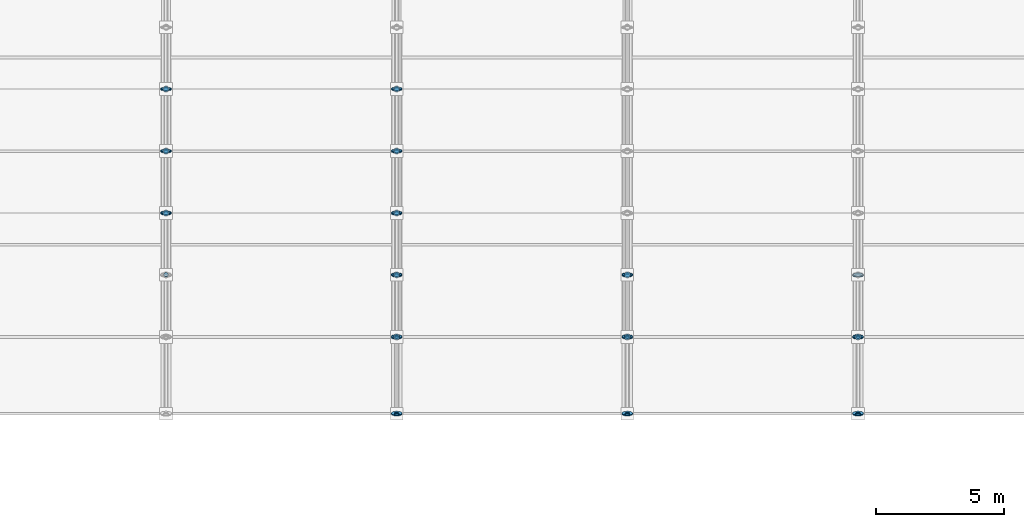
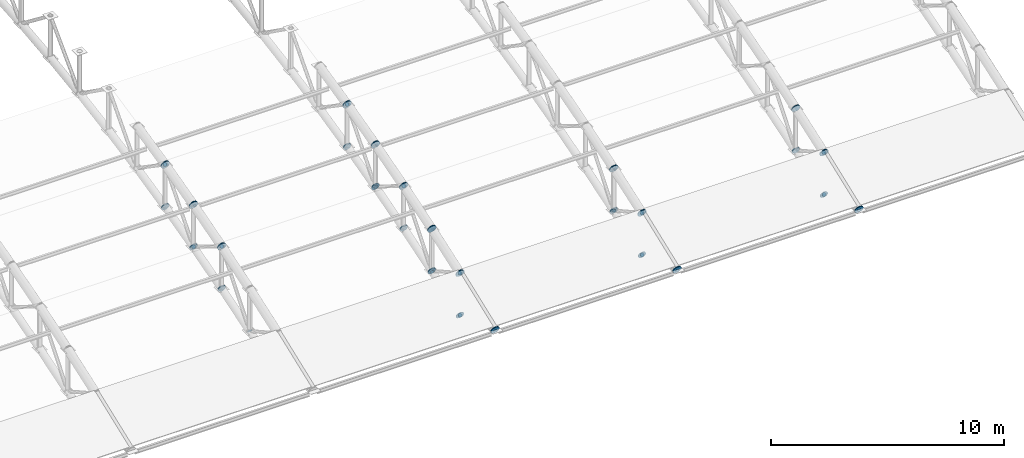
# One storey, part 121 of 195: 94 discrete accessories.
"""IFC4 building model written with IfcOpenShell, lengths in metres."""

from ifc_helpers import new_model, si_unit, direction, frame, origin, origin_2d, place, context, subcontext, project, spatial, circle, extrude, material, element, save


model = new_model("IFC4")

# Units and contexts
model_context = context("Model", 3, precision=1e-05, world=origin(), true_north=direction((0.0, 1.0)))
body_context = subcontext(model_context, "Body", "Model", "MODEL_VIEW")
ifc_project = project(units=[si_unit("LENGTHUNIT", "METRE"), si_unit("AREAUNIT", "SQUARE_METRE"), si_unit("VOLUMEUNIT", "CUBIC_METRE"), si_unit("PLANEANGLEUNIT", "RADIAN"), si_unit("MASSUNIT", "GRAM", prefix="KILO")], contexts=[model_context])

# Site, building, storey
site_placement = place(None, origin())
site = spatial("IfcSite", under=ifc_project, at=site_placement, CompositionType="ELEMENT")
building_placement = place(site_placement, origin())
building = spatial("IfcBuilding", under=site, at=building_placement, Name="Marlcrest Central Station", CompositionType="ELEMENT")
storey_placement = place(building_placement, frame((0.0, 0.0, 9.800048828125)))
storey = spatial("IfcBuildingStorey", under=building, at=storey_placement, Name="L02", CompositionType="ELEMENT", Elevation=9.800048828125)

# Discrete accessories
ifc_material = material(Name="Steel S355", Category="steel")
discrete_accessory_1_placement = place(storey_placement, frame((36.0, 41.306396484375, 3.2158203125), z_axis=(0.0, 0.952116828449, 0.305734435391), x_axis=(-1.0, 0.0, 0.0)))
element("IfcDiscreteAccessory", 1, at=discrete_accessory_1_placement, inside=storey, material=ifc_material, Name="endcap-mem-AC-01-L02-00531-e", ObjectType="END_CAP_PLATE", PredefinedType="BRACKET", context=body_context, shape_type="SweptSolid", body=[
    extrude(circle(Radius=0.211181640625, at=origin_2d()), origin(), (0.0, 0.0, 1.0), 0.0400390625),
])
discrete_accessory_2_placement = place(storey_placement, frame((36.0, 41.306396484375, 1.015869140625), z_axis=(0.0, 0.952116828449, 0.305734435391), x_axis=(-1.0, 0.0, 0.0)))
element("IfcDiscreteAccessory", 2, at=discrete_accessory_2_placement, inside=storey, material=ifc_material, Name="endcap-mem-AC-02-L02-00532-e", ObjectType="END_CAP_PLATE", PredefinedType="BRACKET", context=body_context, shape_type="SweptSolid", body=[
    extrude(circle(Radius=0.185791015625, at=origin_2d()), origin(), (0.0, 0.0, 1.0), 0.0400390625),
])
for number, where, z_axis, x_axis, name in (
    (3, (36.0, 38.910400390625, 0.23779296875), (0.0, 0.62962929743, 0.776895712318), (-1.0, 0.0, 0.0), "endcap-mem-AD-01-L02-00534-s"),
    (4, (36.0, 41.314453125, 3.203857421875), (0.0, 0.62962929743, 0.776895712318), (-1.0, 0.0, 0.0), "endcap-mem-AD-01-L02-00534-e"),
):
    element("IfcDiscreteAccessory", number, at=place(storey_placement, frame(where, z_axis=z_axis, x_axis=x_axis)), inside=storey, material=ifc_material, Name=name, ObjectType="END_CAP_PLATE", PredefinedType="BRACKET", context=body_context, shape_type="SweptSolid", body=[
        extrude(circle(Radius=0.092041015625, at=origin_2d()), origin(), (0.0, 0.0, 1.0), 0.0400390625),
    ])
for number, where, z_axis, x_axis, name in (
    (5, (36.0, 41.315673828125, 3.21923828125), (0.0, 0.960130083362, 0.27955361386), (-1.0, 0.0, 0.0), "endcap-mem-AC-01-L02-00535-s"),
    (6, (36.0, 43.72607421875, 3.9208984375), (0.0, 0.960130083362, 0.27955361386), (-1.0, 0.0, 0.0), "endcap-mem-AC-01-L02-00535-e"),
):
    element("IfcDiscreteAccessory", number, at=place(storey_placement, frame(where, z_axis=z_axis, x_axis=x_axis)), inside=storey, material=ifc_material, Name=name, ObjectType="END_CAP_PLATE", PredefinedType="BRACKET", context=body_context, shape_type="SweptSolid", body=[
        extrude(circle(Radius=0.211181640625, at=origin_2d()), origin(), (0.0, 0.0, 1.0), 0.0400390625),
    ])
for number, where, z_axis, x_axis, name in (
    (7, (36.0, 41.315673828125, 1.019287109375), (0.0, 0.960130083362, 0.27955361386), (-1.0, 0.0, 0.0), "endcap-mem-AC-02-L02-00536-s"),
    (8, (36.0, 43.72607421875, 1.720947265625), (0.0, 0.960130083362, 0.27955361386), (-1.0, 0.0, 0.0), "endcap-mem-AC-02-L02-00536-e"),
):
    element("IfcDiscreteAccessory", number, at=place(storey_placement, frame(where, z_axis=z_axis, x_axis=x_axis)), inside=storey, material=ifc_material, Name=name, ObjectType="END_CAP_PLATE", PredefinedType="BRACKET", context=body_context, shape_type="SweptSolid", body=[
        extrude(circle(Radius=0.185791015625, at=origin_2d()), origin(), (0.0, 0.0, 1.0), 0.0400390625),
    ])
for number, where, z_axis, x_axis, name in (
    (9, (36.0, 41.330078125, 1.008544921875), (0.0, 0.0, 1.0), (1.0, 0.0, 0.0), "endcap-mem-AP-01-L02-00537-s"),
    (10, (36.0, 41.330078125, 3.198486328125), (0.0, 0.0, 1.0), (1.0, 0.0, 0.0), "endcap-mem-AP-01-L02-00537-e"),
):
    element("IfcDiscreteAccessory", number, at=place(storey_placement, frame(where, z_axis=z_axis, x_axis=x_axis)), inside=storey, material=ifc_material, Name=name, ObjectType="END_CAP_PLATE", PredefinedType="BRACKET", context=body_context, shape_type="SweptSolid", body=[
        extrude(circle(Radius=0.117431640625, at=origin_2d()), origin(), (0.0, 0.0, 1.0), 0.0400390625),
    ])
for number, where, z_axis, x_axis, name in (
    (11, (36.0, 41.3173828125, 3.231201171875), (0.0, 0.850687380038, -0.525671933286), (-1.0, 0.0, 0.0), "endcap-mem-AD-01-L02-00538-s"),
    (12, (36.0, 43.728759765625, 1.7412109375), (0.0, 0.850687380038, -0.525671933286), (-1.0, 0.0, 0.0), "endcap-mem-AD-01-L02-00538-e"),
):
    element("IfcDiscreteAccessory", number, at=place(storey_placement, frame(where, z_axis=z_axis, x_axis=x_axis)), inside=storey, material=ifc_material, Name=name, ObjectType="END_CAP_PLATE", PredefinedType="BRACKET", context=body_context, shape_type="SweptSolid", body=[
        extrude(circle(Radius=0.092041015625, at=origin_2d()), origin(), (0.0, 0.0, 1.0), 0.0400390625),
    ])
for number, where, z_axis, x_axis, name in (
    (13, (36.0, 43.735595703125, 3.924072265625), (0.0, 0.967539481681, 0.252719906989), (-1.0, 0.0, 0.0), "endcap-mem-AC-01-L02-00539-s"),
    (14, (36.0, 46.145751953125, 4.5537109375), (0.0, 0.967539481681, 0.252719906989), (-1.0, 0.0, 0.0), "endcap-mem-AC-01-L02-00539-e"),
):
    element("IfcDiscreteAccessory", number, at=place(storey_placement, frame(where, z_axis=z_axis, x_axis=x_axis)), inside=storey, material=ifc_material, Name=name, ObjectType="END_CAP_PLATE", PredefinedType="BRACKET", context=body_context, shape_type="SweptSolid", body=[
        extrude(circle(Radius=0.211181640625, at=origin_2d()), origin(), (0.0, 0.0, 1.0), 0.0400390625),
    ])
for number, where, z_axis, x_axis, name in (
    (15, (36.0, 43.735595703125, 1.72412109375), (0.0, 0.967563345928, 0.252628524946), (-1.0, 0.0, 0.0), "endcap-mem-AC-02-L02-00540-s"),
    (16, (36.0, 46.145751953125, 2.353515625), (0.0, 0.967563345928, 0.252628524946), (-1.0, 0.0, 0.0), "endcap-mem-AC-02-L02-00540-e"),
):
    element("IfcDiscreteAccessory", number, at=place(storey_placement, frame(where, z_axis=z_axis, x_axis=x_axis)), inside=storey, material=ifc_material, Name=name, ObjectType="END_CAP_PLATE", PredefinedType="BRACKET", context=body_context, shape_type="SweptSolid", body=[
        extrude(circle(Radius=0.185791015625, at=origin_2d()), origin(), (0.0, 0.0, 1.0), 0.0400390625),
    ])
for number, where, z_axis, x_axis, name in (
    (17, (36.0, 43.75, 1.713134765625), (0.0, 0.0, 1.0), (1.0, 0.0, 0.0), "endcap-mem-AP-01-L02-00541-s"),
    (18, (36.0, 43.75, 3.903076171875), (0.0, 0.0, 1.0), (1.0, 0.0, 0.0), "endcap-mem-AP-01-L02-00541-e"),
):
    element("IfcDiscreteAccessory", number, at=place(storey_placement, frame(where, z_axis=z_axis, x_axis=x_axis)), inside=storey, material=ifc_material, Name=name, ObjectType="END_CAP_PLATE", PredefinedType="BRACKET", context=body_context, shape_type="SweptSolid", body=[
        extrude(circle(Radius=0.117431640625, at=origin_2d()), origin(), (0.0, 0.0, 1.0), 0.0400390625),
    ])
for number, where, z_axis, x_axis, name in (
    (19, (36.0, 43.740234375, 1.716552734375), (0.0, 0.649624779144, 0.760254987699), (-1.0, 0.0, 0.0), "endcap-mem-AD-01-L02-00542-s"),
    (20, (36.0, 46.153564453125, 4.541015625), (0.0, 0.649624779144, 0.760254987699), (-1.0, 0.0, 0.0), "endcap-mem-AD-01-L02-00542-e"),
):
    element("IfcDiscreteAccessory", number, at=place(storey_placement, frame(where, z_axis=z_axis, x_axis=x_axis)), inside=storey, material=ifc_material, Name=name, ObjectType="END_CAP_PLATE", PredefinedType="BRACKET", context=body_context, shape_type="SweptSolid", body=[
        extrude(circle(Radius=0.092041015625, at=origin_2d()), origin(), (0.0, 0.0, 1.0), 0.0400390625),
    ])
discrete_accessory_3_placement = place(storey_placement, frame((36.0, 46.1552734375, 4.556640625), z_axis=(0.0, 0.974329612642, 0.225126200004), x_axis=(-1.0, 0.0, 0.0)))
element("IfcDiscreteAccessory", 21, at=discrete_accessory_3_placement, inside=storey, material=ifc_material, Name="endcap-mem-AC-01-L02-00543-s", ObjectType="END_CAP_PLATE", PredefinedType="BRACKET", context=body_context, shape_type="SweptSolid", body=[
    extrude(circle(Radius=0.211181640625, at=origin_2d()), origin(), (0.0, 0.0, 1.0), 0.0400390625),
])
discrete_accessory_4_placement = place(storey_placement, frame((36.0, 46.1552734375, 2.3564453125), z_axis=(0.0, 0.974307959875, 0.225219891049), x_axis=(-1.0, 0.0, 0.0)))
element("IfcDiscreteAccessory", 22, at=discrete_accessory_4_placement, inside=storey, material=ifc_material, Name="endcap-mem-AC-02-L02-00544-s", ObjectType="END_CAP_PLATE", PredefinedType="BRACKET", context=body_context, shape_type="SweptSolid", body=[
    extrude(circle(Radius=0.185791015625, at=origin_2d()), origin(), (0.0, 0.0, 1.0), 0.0400390625),
])
for number, where, z_axis, x_axis, name in (
    (23, (36.0, 46.169921875, 2.344970703125), (0.0, 0.0, 1.0), (1.0, 0.0, 0.0), "endcap-mem-AP-01-L02-00545-s"),
    (24, (36.0, 46.169921875, 4.53515625), (0.0, 0.0, 1.0), (1.0, 0.0, 0.0), "endcap-mem-AP-01-L02-00545-e"),
):
    element("IfcDiscreteAccessory", number, at=place(storey_placement, frame(where, z_axis=z_axis, x_axis=x_axis)), inside=storey, material=ifc_material, Name=name, ObjectType="END_CAP_PLATE", PredefinedType="BRACKET", context=body_context, shape_type="SweptSolid", body=[
        extrude(circle(Radius=0.117431640625, at=origin_2d()), origin(), (0.0, 0.0, 1.0), 0.0400390625),
    ])
discrete_accessory_5_placement = place(storey_placement, frame((36.0, 46.157470703125, 4.568603515625), z_axis=(0.0, 0.82626275624, -0.563284881432), x_axis=(-1.0, 0.0, 0.0)))
element("IfcDiscreteAccessory", 25, at=discrete_accessory_5_placement, inside=storey, material=ifc_material, Name="endcap-mem-AD-01-L02-00546-s", ObjectType="END_CAP_PLATE", PredefinedType="BRACKET", context=body_context, shape_type="SweptSolid", body=[
    extrude(circle(Radius=0.092041015625, at=origin_2d()), origin(), (0.0, 0.0, 1.0), 0.0400390625),
])
for number, where, z_axis, x_axis, name in (
    (26, (45.0, 33.486083984375, 0.4404296875), (0.0, 0.933324071143, 0.359035065453), (-1.0, 0.0, 0.0), "endcap-mem-AC-01-L02-00641-s"),
    (27, (45.0, 36.4765625, 1.5908203125), (0.0, 0.933324071143, 0.359035065453), (-1.0, 0.0, 0.0), "endcap-mem-AC-01-L02-00641-e"),
):
    element("IfcDiscreteAccessory", number, at=place(storey_placement, frame(where, z_axis=z_axis, x_axis=x_axis)), inside=storey, material=ifc_material, Name=name, ObjectType="END_CAP_PLATE", PredefinedType="BRACKET", context=body_context, shape_type="SweptSolid", body=[
        extrude(circle(Radius=0.211181640625, at=origin_2d()), origin(), (0.0, 0.0, 1.0), 0.0400390625),
    ])
for number, where, z_axis, x_axis, name in (
    (28, (45.0, 36.51416015625, -0.60498046875), (0.0, -0.944260188635, 0.329200085296), (1.0, 0.0, 0.0), "endcap-mem-AD-01-L02-00642-s"),
    (29, (45.0, 33.523681640625, 0.4375), (0.0, -0.944260188635, 0.329200085296), (1.0, 0.0, 0.0), "endcap-mem-AD-01-L02-00642-e"),
):
    element("IfcDiscreteAccessory", number, at=place(storey_placement, frame(where, z_axis=z_axis, x_axis=x_axis)), inside=storey, material=ifc_material, Name=name, ObjectType="END_CAP_PLATE", PredefinedType="BRACKET", context=body_context, shape_type="SweptSolid", body=[
        extrude(circle(Radius=0.092041015625, at=origin_2d()), origin(), (0.0, 0.0, 1.0), 0.0400390625),
    ])
for number, where, z_axis, x_axis, name in (
    (30, (45.0, 36.48583984375, 1.594970703125), (0.0, 0.94353735649, 0.331266142109), (-1.0, 0.0, 0.0), "endcap-mem-AC-01-L02-00643-s"),
    (31, (45.0, 38.896240234375, 2.441162109375), (0.0, 0.94353735649, 0.331266142109), (-1.0, 0.0, 0.0), "endcap-mem-AC-01-L02-00643-e"),
):
    element("IfcDiscreteAccessory", number, at=place(storey_placement, frame(where, z_axis=z_axis, x_axis=x_axis)), inside=storey, material=ifc_material, Name=name, ObjectType="END_CAP_PLATE", PredefinedType="BRACKET", context=body_context, shape_type="SweptSolid", body=[
        extrude(circle(Radius=0.211181640625, at=origin_2d()), origin(), (0.0, 0.0, 1.0), 0.0400390625),
    ])
for number, where, z_axis, x_axis, name in (
    (32, (45.0, 36.48583984375, -0.60498046875), (0.0, 0.94353735649, 0.331266142109), (-1.0, 0.0, 0.0), "endcap-mem-AC-02-L02-00644-s"),
    (33, (45.0, 38.896240234375, 0.2412109375), (0.0, 0.94353735649, 0.331266142109), (-1.0, 0.0, 0.0), "endcap-mem-AC-02-L02-00644-e"),
):
    element("IfcDiscreteAccessory", number, at=place(storey_placement, frame(where, z_axis=z_axis, x_axis=x_axis)), inside=storey, material=ifc_material, Name=name, ObjectType="END_CAP_PLATE", PredefinedType="BRACKET", context=body_context, shape_type="SweptSolid", body=[
        extrude(circle(Radius=0.185791015625, at=origin_2d()), origin(), (0.0, 0.0, 1.0), 0.0400390625),
    ])
for number, where, z_axis, x_axis, name in (
    (34, (45.0, 36.5, -0.614990234375), (0.0, 0.0, 1.0), (1.0, 0.0, 0.0), "endcap-mem-AP-01-L02-00645-s"),
    (35, (45.0, 36.5, 1.574951171875), (0.0, 0.0, 1.0), (1.0, 0.0, 0.0), "endcap-mem-AP-01-L02-00645-e"),
):
    element("IfcDiscreteAccessory", number, at=place(storey_placement, frame(where, z_axis=z_axis, x_axis=x_axis)), inside=storey, material=ifc_material, Name=name, ObjectType="END_CAP_PLATE", PredefinedType="BRACKET", context=body_context, shape_type="SweptSolid", body=[
        extrude(circle(Radius=0.117431640625, at=origin_2d()), origin(), (0.0, 0.0, 1.0), 0.0400390625),
    ])
for number, where, z_axis, x_axis, name in (
    (36, (45.0, 36.48681640625, 1.607177734375), (0.0, 0.873245653167, -0.487280236851), (-1.0, 0.0, 0.0), "endcap-mem-AD-01-L02-00646-s"),
    (37, (45.0, 38.898193359375, 0.26171875), (0.0, 0.873245653167, -0.487280236851), (-1.0, 0.0, 0.0), "endcap-mem-AD-01-L02-00646-e"),
):
    element("IfcDiscreteAccessory", number, at=place(storey_placement, frame(where, z_axis=z_axis, x_axis=x_axis)), inside=storey, material=ifc_material, Name=name, ObjectType="END_CAP_PLATE", PredefinedType="BRACKET", context=body_context, shape_type="SweptSolid", body=[
        extrude(circle(Radius=0.092041015625, at=origin_2d()), origin(), (0.0, 0.0, 1.0), 0.0400390625),
    ])
for number, where, z_axis, x_axis, name in (
    (38, (45.0, 38.90576171875, 2.44482421875), (0.0, 0.952116828449, 0.305734435391), (-1.0, 0.0, 0.0), "endcap-mem-AC-01-L02-00647-s"),
    (39, (45.0, 41.306396484375, 3.2158203125), (0.0, 0.952116828449, 0.305734435391), (-1.0, 0.0, 0.0), "endcap-mem-AC-01-L02-00647-e"),
):
    element("IfcDiscreteAccessory", number, at=place(storey_placement, frame(where, z_axis=z_axis, x_axis=x_axis)), inside=storey, material=ifc_material, Name=name, ObjectType="END_CAP_PLATE", PredefinedType="BRACKET", context=body_context, shape_type="SweptSolid", body=[
        extrude(circle(Radius=0.211181640625, at=origin_2d()), origin(), (0.0, 0.0, 1.0), 0.0400390625),
    ])
for number, where, z_axis, x_axis, name in (
    (40, (45.0, 38.90576171875, 0.244873046875), (0.0, 0.952116828449, 0.305734435391), (-1.0, 0.0, 0.0), "endcap-mem-AC-02-L02-00648-s"),
    (41, (45.0, 41.306396484375, 1.015869140625), (0.0, 0.952116828449, 0.305734435391), (-1.0, 0.0, 0.0), "endcap-mem-AC-02-L02-00648-e"),
):
    element("IfcDiscreteAccessory", number, at=place(storey_placement, frame(where, z_axis=z_axis, x_axis=x_axis)), inside=storey, material=ifc_material, Name=name, ObjectType="END_CAP_PLATE", PredefinedType="BRACKET", context=body_context, shape_type="SweptSolid", body=[
        extrude(circle(Radius=0.185791015625, at=origin_2d()), origin(), (0.0, 0.0, 1.0), 0.0400390625),
    ])
for number, where, z_axis, x_axis, name in (
    (42, (45.0, 38.919921875, 0.234619140625), (0.0, 0.0, 1.0), (1.0, 0.0, 0.0), "endcap-mem-AP-01-L02-00649-s"),
    (43, (45.0, 38.919921875, 2.424560546875), (0.0, 0.0, 1.0), (1.0, 0.0, 0.0), "endcap-mem-AP-01-L02-00649-e"),
):
    element("IfcDiscreteAccessory", number, at=place(storey_placement, frame(where, z_axis=z_axis, x_axis=x_axis)), inside=storey, material=ifc_material, Name=name, ObjectType="END_CAP_PLATE", PredefinedType="BRACKET", context=body_context, shape_type="SweptSolid", body=[
        extrude(circle(Radius=0.117431640625, at=origin_2d()), origin(), (0.0, 0.0, 1.0), 0.0400390625),
    ])
for number, where, z_axis, x_axis, name in (
    (44, (45.0, 38.910400390625, 0.23779296875), (0.0, 0.62962929743, 0.776895712318), (-1.0, 0.0, 0.0), "endcap-mem-AD-01-L02-00650-s"),
    (45, (45.0, 41.314453125, 3.203857421875), (0.0, 0.62962929743, 0.776895712318), (-1.0, 0.0, 0.0), "endcap-mem-AD-01-L02-00650-e"),
):
    element("IfcDiscreteAccessory", number, at=place(storey_placement, frame(where, z_axis=z_axis, x_axis=x_axis)), inside=storey, material=ifc_material, Name=name, ObjectType="END_CAP_PLATE", PredefinedType="BRACKET", context=body_context, shape_type="SweptSolid", body=[
        extrude(circle(Radius=0.092041015625, at=origin_2d()), origin(), (0.0, 0.0, 1.0), 0.0400390625),
    ])
for number, where, z_axis, x_axis, name in (
    (46, (45.0, 41.315673828125, 3.21923828125), (0.0, 0.960130083362, 0.27955361386), (-1.0, 0.0, 0.0), "endcap-mem-AC-01-L02-00651-s"),
    (47, (45.0, 43.72607421875, 3.9208984375), (0.0, 0.960130083362, 0.27955361386), (-1.0, 0.0, 0.0), "endcap-mem-AC-01-L02-00651-e"),
):
    element("IfcDiscreteAccessory", number, at=place(storey_placement, frame(where, z_axis=z_axis, x_axis=x_axis)), inside=storey, material=ifc_material, Name=name, ObjectType="END_CAP_PLATE", PredefinedType="BRACKET", context=body_context, shape_type="SweptSolid", body=[
        extrude(circle(Radius=0.211181640625, at=origin_2d()), origin(), (0.0, 0.0, 1.0), 0.0400390625),
    ])
for number, where, z_axis, x_axis, name in (
    (48, (45.0, 41.315673828125, 1.019287109375), (0.0, 0.960130083362, 0.27955361386), (-1.0, 0.0, 0.0), "endcap-mem-AC-02-L02-00652-s"),
    (49, (45.0, 43.72607421875, 1.720947265625), (0.0, 0.960130083362, 0.27955361386), (-1.0, 0.0, 0.0), "endcap-mem-AC-02-L02-00652-e"),
):
    element("IfcDiscreteAccessory", number, at=place(storey_placement, frame(where, z_axis=z_axis, x_axis=x_axis)), inside=storey, material=ifc_material, Name=name, ObjectType="END_CAP_PLATE", PredefinedType="BRACKET", context=body_context, shape_type="SweptSolid", body=[
        extrude(circle(Radius=0.185791015625, at=origin_2d()), origin(), (0.0, 0.0, 1.0), 0.0400390625),
    ])
for number, where, z_axis, x_axis, name in (
    (50, (45.0, 41.330078125, 1.008544921875), (0.0, 0.0, 1.0), (1.0, 0.0, 0.0), "endcap-mem-AP-01-L02-00653-s"),
    (51, (45.0, 41.330078125, 3.198486328125), (0.0, 0.0, 1.0), (1.0, 0.0, 0.0), "endcap-mem-AP-01-L02-00653-e"),
):
    element("IfcDiscreteAccessory", number, at=place(storey_placement, frame(where, z_axis=z_axis, x_axis=x_axis)), inside=storey, material=ifc_material, Name=name, ObjectType="END_CAP_PLATE", PredefinedType="BRACKET", context=body_context, shape_type="SweptSolid", body=[
        extrude(circle(Radius=0.117431640625, at=origin_2d()), origin(), (0.0, 0.0, 1.0), 0.0400390625),
    ])
for number, where, z_axis, x_axis, name in (
    (52, (45.0, 41.3173828125, 3.231201171875), (0.0, 0.850687380038, -0.525671933286), (-1.0, 0.0, 0.0), "endcap-mem-AD-01-L02-00654-s"),
    (53, (45.0, 43.728759765625, 1.7412109375), (0.0, 0.850687380038, -0.525671933286), (-1.0, 0.0, 0.0), "endcap-mem-AD-01-L02-00654-e"),
):
    element("IfcDiscreteAccessory", number, at=place(storey_placement, frame(where, z_axis=z_axis, x_axis=x_axis)), inside=storey, material=ifc_material, Name=name, ObjectType="END_CAP_PLATE", PredefinedType="BRACKET", context=body_context, shape_type="SweptSolid", body=[
        extrude(circle(Radius=0.092041015625, at=origin_2d()), origin(), (0.0, 0.0, 1.0), 0.0400390625),
    ])
for number, where, z_axis, x_axis, name in (
    (54, (45.0, 43.735595703125, 3.924072265625), (0.0, 0.967539481681, 0.252719906989), (-1.0, 0.0, 0.0), "endcap-mem-AC-01-L02-00655-s"),
    (55, (45.0, 46.145751953125, 4.5537109375), (0.0, 0.967539481681, 0.252719906989), (-1.0, 0.0, 0.0), "endcap-mem-AC-01-L02-00655-e"),
):
    element("IfcDiscreteAccessory", number, at=place(storey_placement, frame(where, z_axis=z_axis, x_axis=x_axis)), inside=storey, material=ifc_material, Name=name, ObjectType="END_CAP_PLATE", PredefinedType="BRACKET", context=body_context, shape_type="SweptSolid", body=[
        extrude(circle(Radius=0.211181640625, at=origin_2d()), origin(), (0.0, 0.0, 1.0), 0.0400390625),
    ])
for number, where, z_axis, x_axis, name in (
    (56, (45.0, 43.735595703125, 1.72412109375), (0.0, 0.967563345928, 0.252628524946), (-1.0, 0.0, 0.0), "endcap-mem-AC-02-L02-00656-s"),
    (57, (45.0, 46.145751953125, 2.353515625), (0.0, 0.967563345928, 0.252628524946), (-1.0, 0.0, 0.0), "endcap-mem-AC-02-L02-00656-e"),
):
    element("IfcDiscreteAccessory", number, at=place(storey_placement, frame(where, z_axis=z_axis, x_axis=x_axis)), inside=storey, material=ifc_material, Name=name, ObjectType="END_CAP_PLATE", PredefinedType="BRACKET", context=body_context, shape_type="SweptSolid", body=[
        extrude(circle(Radius=0.185791015625, at=origin_2d()), origin(), (0.0, 0.0, 1.0), 0.0400390625),
    ])
for number, where, z_axis, x_axis, name in (
    (58, (45.0, 43.75, 1.713134765625), (0.0, 0.0, 1.0), (1.0, 0.0, 0.0), "endcap-mem-AP-01-L02-00657-s"),
    (59, (45.0, 43.75, 3.903076171875), (0.0, 0.0, 1.0), (1.0, 0.0, 0.0), "endcap-mem-AP-01-L02-00657-e"),
):
    element("IfcDiscreteAccessory", number, at=place(storey_placement, frame(where, z_axis=z_axis, x_axis=x_axis)), inside=storey, material=ifc_material, Name=name, ObjectType="END_CAP_PLATE", PredefinedType="BRACKET", context=body_context, shape_type="SweptSolid", body=[
        extrude(circle(Radius=0.117431640625, at=origin_2d()), origin(), (0.0, 0.0, 1.0), 0.0400390625),
    ])
for number, where, z_axis, x_axis, name in (
    (60, (45.0, 43.740234375, 1.716552734375), (0.0, 0.649624779144, 0.760254987699), (-1.0, 0.0, 0.0), "endcap-mem-AD-01-L02-00658-s"),
    (61, (45.0, 46.153564453125, 4.541015625), (0.0, 0.649624779144, 0.760254987699), (-1.0, 0.0, 0.0), "endcap-mem-AD-01-L02-00658-e"),
):
    element("IfcDiscreteAccessory", number, at=place(storey_placement, frame(where, z_axis=z_axis, x_axis=x_axis)), inside=storey, material=ifc_material, Name=name, ObjectType="END_CAP_PLATE", PredefinedType="BRACKET", context=body_context, shape_type="SweptSolid", body=[
        extrude(circle(Radius=0.092041015625, at=origin_2d()), origin(), (0.0, 0.0, 1.0), 0.0400390625),
    ])
discrete_accessory_6_placement = place(storey_placement, frame((45.0, 46.1552734375, 4.556640625), z_axis=(0.0, 0.974329612642, 0.225126200004), x_axis=(-1.0, 0.0, 0.0)))
element("IfcDiscreteAccessory", 62, at=discrete_accessory_6_placement, inside=storey, material=ifc_material, Name="endcap-mem-AC-01-L02-00659-s", ObjectType="END_CAP_PLATE", PredefinedType="BRACKET", context=body_context, shape_type="SweptSolid", body=[
    extrude(circle(Radius=0.211181640625, at=origin_2d()), origin(), (0.0, 0.0, 1.0), 0.0400390625),
])
discrete_accessory_7_placement = place(storey_placement, frame((45.0, 46.1552734375, 2.3564453125), z_axis=(0.0, 0.974307959875, 0.225219891049), x_axis=(-1.0, 0.0, 0.0)))
element("IfcDiscreteAccessory", 63, at=discrete_accessory_7_placement, inside=storey, material=ifc_material, Name="endcap-mem-AC-02-L02-00660-s", ObjectType="END_CAP_PLATE", PredefinedType="BRACKET", context=body_context, shape_type="SweptSolid", body=[
    extrude(circle(Radius=0.185791015625, at=origin_2d()), origin(), (0.0, 0.0, 1.0), 0.0400390625),
])
for number, where, z_axis, x_axis, name in (
    (64, (45.0, 46.169921875, 2.344970703125), (0.0, 0.0, 1.0), (1.0, 0.0, 0.0), "endcap-mem-AP-01-L02-00661-s"),
    (65, (45.0, 46.169921875, 4.53515625), (0.0, 0.0, 1.0), (1.0, 0.0, 0.0), "endcap-mem-AP-01-L02-00661-e"),
):
    element("IfcDiscreteAccessory", number, at=place(storey_placement, frame(where, z_axis=z_axis, x_axis=x_axis)), inside=storey, material=ifc_material, Name=name, ObjectType="END_CAP_PLATE", PredefinedType="BRACKET", context=body_context, shape_type="SweptSolid", body=[
        extrude(circle(Radius=0.117431640625, at=origin_2d()), origin(), (0.0, 0.0, 1.0), 0.0400390625),
    ])
discrete_accessory_8_placement = place(storey_placement, frame((45.0, 46.157470703125, 4.568603515625), z_axis=(0.0, 0.82626275624, -0.563284881432), x_axis=(-1.0, 0.0, 0.0)))
element("IfcDiscreteAccessory", 66, at=discrete_accessory_8_placement, inside=storey, material=ifc_material, Name="endcap-mem-AD-01-L02-00662-s", ObjectType="END_CAP_PLATE", PredefinedType="BRACKET", context=body_context, shape_type="SweptSolid", body=[
    extrude(circle(Radius=0.092041015625, at=origin_2d()), origin(), (0.0, 0.0, 1.0), 0.0400390625),
])
for number, where, z_axis, x_axis, name in (
    (67, (54.0, 33.486083984375, 0.4404296875), (0.0, 0.933324071143, 0.359035065453), (-1.0, 0.0, 0.0), "endcap-mem-AC-01-L02-00757-s"),
    (68, (54.0, 36.4765625, 1.5908203125), (0.0, 0.933324071143, 0.359035065453), (-1.0, 0.0, 0.0), "endcap-mem-AC-01-L02-00757-e"),
):
    element("IfcDiscreteAccessory", number, at=place(storey_placement, frame(where, z_axis=z_axis, x_axis=x_axis)), inside=storey, material=ifc_material, Name=name, ObjectType="END_CAP_PLATE", PredefinedType="BRACKET", context=body_context, shape_type="SweptSolid", body=[
        extrude(circle(Radius=0.211181640625, at=origin_2d()), origin(), (0.0, 0.0, 1.0), 0.0400390625),
    ])
for number, where, z_axis, x_axis, name in (
    (69, (54.0, 36.51416015625, -0.60498046875), (0.0, -0.944260188635, 0.329200085296), (1.0, 0.0, 0.0), "endcap-mem-AD-01-L02-00758-s"),
    (70, (54.0, 33.523681640625, 0.4375), (0.0, -0.944260188635, 0.329200085296), (1.0, 0.0, 0.0), "endcap-mem-AD-01-L02-00758-e"),
):
    element("IfcDiscreteAccessory", number, at=place(storey_placement, frame(where, z_axis=z_axis, x_axis=x_axis)), inside=storey, material=ifc_material, Name=name, ObjectType="END_CAP_PLATE", PredefinedType="BRACKET", context=body_context, shape_type="SweptSolid", body=[
        extrude(circle(Radius=0.092041015625, at=origin_2d()), origin(), (0.0, 0.0, 1.0), 0.0400390625),
    ])
for number, where, z_axis, x_axis, name in (
    (71, (54.0, 36.48583984375, 1.594970703125), (0.0, 0.94353735649, 0.331266142109), (-1.0, 0.0, 0.0), "endcap-mem-AC-01-L02-00759-s"),
    (72, (54.0, 38.896240234375, 2.441162109375), (0.0, 0.94353735649, 0.331266142109), (-1.0, 0.0, 0.0), "endcap-mem-AC-01-L02-00759-e"),
):
    element("IfcDiscreteAccessory", number, at=place(storey_placement, frame(where, z_axis=z_axis, x_axis=x_axis)), inside=storey, material=ifc_material, Name=name, ObjectType="END_CAP_PLATE", PredefinedType="BRACKET", context=body_context, shape_type="SweptSolid", body=[
        extrude(circle(Radius=0.211181640625, at=origin_2d()), origin(), (0.0, 0.0, 1.0), 0.0400390625),
    ])
for number, where, z_axis, x_axis, name in (
    (73, (54.0, 36.48583984375, -0.60498046875), (0.0, 0.94353735649, 0.331266142109), (-1.0, 0.0, 0.0), "endcap-mem-AC-02-L02-00760-s"),
    (74, (54.0, 38.896240234375, 0.2412109375), (0.0, 0.94353735649, 0.331266142109), (-1.0, 0.0, 0.0), "endcap-mem-AC-02-L02-00760-e"),
):
    element("IfcDiscreteAccessory", number, at=place(storey_placement, frame(where, z_axis=z_axis, x_axis=x_axis)), inside=storey, material=ifc_material, Name=name, ObjectType="END_CAP_PLATE", PredefinedType="BRACKET", context=body_context, shape_type="SweptSolid", body=[
        extrude(circle(Radius=0.185791015625, at=origin_2d()), origin(), (0.0, 0.0, 1.0), 0.0400390625),
    ])
for number, where, z_axis, x_axis, name in (
    (75, (54.0, 36.5, -0.614990234375), (0.0, 0.0, 1.0), (1.0, 0.0, 0.0), "endcap-mem-AP-01-L02-00761-s"),
    (76, (54.0, 36.5, 1.574951171875), (0.0, 0.0, 1.0), (1.0, 0.0, 0.0), "endcap-mem-AP-01-L02-00761-e"),
):
    element("IfcDiscreteAccessory", number, at=place(storey_placement, frame(where, z_axis=z_axis, x_axis=x_axis)), inside=storey, material=ifc_material, Name=name, ObjectType="END_CAP_PLATE", PredefinedType="BRACKET", context=body_context, shape_type="SweptSolid", body=[
        extrude(circle(Radius=0.117431640625, at=origin_2d()), origin(), (0.0, 0.0, 1.0), 0.0400390625),
    ])
for number, where, z_axis, x_axis, name in (
    (77, (54.0, 36.48681640625, 1.607177734375), (0.0, 0.873245653167, -0.487280236851), (-1.0, 0.0, 0.0), "endcap-mem-AD-01-L02-00762-s"),
    (78, (54.0, 38.898193359375, 0.26171875), (0.0, 0.873245653167, -0.487280236851), (-1.0, 0.0, 0.0), "endcap-mem-AD-01-L02-00762-e"),
):
    element("IfcDiscreteAccessory", number, at=place(storey_placement, frame(where, z_axis=z_axis, x_axis=x_axis)), inside=storey, material=ifc_material, Name=name, ObjectType="END_CAP_PLATE", PredefinedType="BRACKET", context=body_context, shape_type="SweptSolid", body=[
        extrude(circle(Radius=0.092041015625, at=origin_2d()), origin(), (0.0, 0.0, 1.0), 0.0400390625),
    ])
discrete_accessory_9_placement = place(storey_placement, frame((54.0, 38.90576171875, 2.44482421875), z_axis=(0.0, 0.952116828449, 0.305734435391), x_axis=(-1.0, 0.0, 0.0)))
element("IfcDiscreteAccessory", 79, at=discrete_accessory_9_placement, inside=storey, material=ifc_material, Name="endcap-mem-AC-01-L02-00763-s", ObjectType="END_CAP_PLATE", PredefinedType="BRACKET", context=body_context, shape_type="SweptSolid", body=[
    extrude(circle(Radius=0.211181640625, at=origin_2d()), origin(), (0.0, 0.0, 1.0), 0.0400390625),
])
discrete_accessory_10_placement = place(storey_placement, frame((54.0, 38.90576171875, 0.244873046875), z_axis=(0.0, 0.952116828449, 0.305734435391), x_axis=(-1.0, 0.0, 0.0)))
element("IfcDiscreteAccessory", 80, at=discrete_accessory_10_placement, inside=storey, material=ifc_material, Name="endcap-mem-AC-02-L02-00764-s", ObjectType="END_CAP_PLATE", PredefinedType="BRACKET", context=body_context, shape_type="SweptSolid", body=[
    extrude(circle(Radius=0.185791015625, at=origin_2d()), origin(), (0.0, 0.0, 1.0), 0.0400390625),
])
for number, where, z_axis, x_axis, name in (
    (81, (54.0, 38.919921875, 0.234619140625), (0.0, 0.0, 1.0), (1.0, 0.0, 0.0), "endcap-mem-AP-01-L02-00765-s"),
    (82, (54.0, 38.919921875, 2.424560546875), (0.0, 0.0, 1.0), (1.0, 0.0, 0.0), "endcap-mem-AP-01-L02-00765-e"),
):
    element("IfcDiscreteAccessory", number, at=place(storey_placement, frame(where, z_axis=z_axis, x_axis=x_axis)), inside=storey, material=ifc_material, Name=name, ObjectType="END_CAP_PLATE", PredefinedType="BRACKET", context=body_context, shape_type="SweptSolid", body=[
        extrude(circle(Radius=0.117431640625, at=origin_2d()), origin(), (0.0, 0.0, 1.0), 0.0400390625),
    ])
discrete_accessory_11_placement = place(storey_placement, frame((54.0, 38.910400390625, 0.23779296875), z_axis=(0.0, 0.62962929743, 0.776895712318), x_axis=(-1.0, 0.0, 0.0)))
element("IfcDiscreteAccessory", 83, at=discrete_accessory_11_placement, inside=storey, material=ifc_material, Name="endcap-mem-AD-01-L02-00766-s", ObjectType="END_CAP_PLATE", PredefinedType="BRACKET", context=body_context, shape_type="SweptSolid", body=[
    extrude(circle(Radius=0.092041015625, at=origin_2d()), origin(), (0.0, 0.0, 1.0), 0.0400390625),
])
for number, where, z_axis, x_axis, name in (
    (84, (63.0, 33.486083984375, 0.4404296875), (0.0, 0.933324071143, 0.359035065453), (-1.0, 0.0, 0.0), "endcap-mem-AC-01-L02-00873-s"),
    (85, (63.0, 36.4765625, 1.5908203125), (0.0, 0.933324071143, 0.359035065453), (-1.0, 0.0, 0.0), "endcap-mem-AC-01-L02-00873-e"),
):
    element("IfcDiscreteAccessory", number, at=place(storey_placement, frame(where, z_axis=z_axis, x_axis=x_axis)), inside=storey, material=ifc_material, Name=name, ObjectType="END_CAP_PLATE", PredefinedType="BRACKET", context=body_context, shape_type="SweptSolid", body=[
        extrude(circle(Radius=0.211181640625, at=origin_2d()), origin(), (0.0, 0.0, 1.0), 0.0400390625),
    ])
for number, where, z_axis, x_axis, name in (
    (86, (63.0, 36.51416015625, -0.60498046875), (0.0, -0.944260188635, 0.329200085296), (1.0, 0.0, 0.0), "endcap-mem-AD-01-L02-00874-s"),
    (87, (63.0, 33.523681640625, 0.4375), (0.0, -0.944260188635, 0.329200085296), (1.0, 0.0, 0.0), "endcap-mem-AD-01-L02-00874-e"),
):
    element("IfcDiscreteAccessory", number, at=place(storey_placement, frame(where, z_axis=z_axis, x_axis=x_axis)), inside=storey, material=ifc_material, Name=name, ObjectType="END_CAP_PLATE", PredefinedType="BRACKET", context=body_context, shape_type="SweptSolid", body=[
        extrude(circle(Radius=0.092041015625, at=origin_2d()), origin(), (0.0, 0.0, 1.0), 0.0400390625),
    ])
for number, where, z_axis, x_axis, name in (
    (88, (63.0, 36.48583984375, 1.594970703125), (0.0, 0.94353735649, 0.331266142109), (-1.0, 0.0, 0.0), "endcap-mem-AC-01-L02-00875-s"),
    (89, (63.0, 38.896240234375, 2.441162109375), (0.0, 0.94353735649, 0.331266142109), (-1.0, 0.0, 0.0), "endcap-mem-AC-01-L02-00875-e"),
):
    element("IfcDiscreteAccessory", number, at=place(storey_placement, frame(where, z_axis=z_axis, x_axis=x_axis)), inside=storey, material=ifc_material, Name=name, ObjectType="END_CAP_PLATE", PredefinedType="BRACKET", context=body_context, shape_type="SweptSolid", body=[
        extrude(circle(Radius=0.211181640625, at=origin_2d()), origin(), (0.0, 0.0, 1.0), 0.0400390625),
    ])
for number, where, z_axis, x_axis, name in (
    (90, (63.0, 36.48583984375, -0.60498046875), (0.0, 0.94353735649, 0.331266142109), (-1.0, 0.0, 0.0), "endcap-mem-AC-02-L02-00876-s"),
    (91, (63.0, 38.896240234375, 0.2412109375), (0.0, 0.94353735649, 0.331266142109), (-1.0, 0.0, 0.0), "endcap-mem-AC-02-L02-00876-e"),
):
    element("IfcDiscreteAccessory", number, at=place(storey_placement, frame(where, z_axis=z_axis, x_axis=x_axis)), inside=storey, material=ifc_material, Name=name, ObjectType="END_CAP_PLATE", PredefinedType="BRACKET", context=body_context, shape_type="SweptSolid", body=[
        extrude(circle(Radius=0.185791015625, at=origin_2d()), origin(), (0.0, 0.0, 1.0), 0.0400390625),
    ])
for number, where, z_axis, x_axis, name in (
    (92, (63.0, 36.5, -0.614990234375), (0.0, 0.0, 1.0), (1.0, 0.0, 0.0), "endcap-mem-AP-01-L02-00877-s"),
    (93, (63.0, 36.5, 1.574951171875), (0.0, 0.0, 1.0), (1.0, 0.0, 0.0), "endcap-mem-AP-01-L02-00877-e"),
):
    element("IfcDiscreteAccessory", number, at=place(storey_placement, frame(where, z_axis=z_axis, x_axis=x_axis)), inside=storey, material=ifc_material, Name=name, ObjectType="END_CAP_PLATE", PredefinedType="BRACKET", context=body_context, shape_type="SweptSolid", body=[
        extrude(circle(Radius=0.117431640625, at=origin_2d()), origin(), (0.0, 0.0, 1.0), 0.0400390625),
    ])
discrete_accessory_12_placement = place(storey_placement, frame((63.0, 36.48681640625, 1.607177734375), z_axis=(0.0, 0.873245653167, -0.487280236851), x_axis=(-1.0, 0.0, 0.0)))
element("IfcDiscreteAccessory", 94, at=discrete_accessory_12_placement, inside=storey, material=ifc_material, Name="endcap-mem-AD-01-L02-00878-s", ObjectType="END_CAP_PLATE", PredefinedType="BRACKET", context=body_context, shape_type="SweptSolid", body=[
    extrude(circle(Radius=0.092041015625, at=origin_2d()), origin(), (0.0, 0.0, 1.0), 0.0400390625),
])

save(model, "model.ifc")
